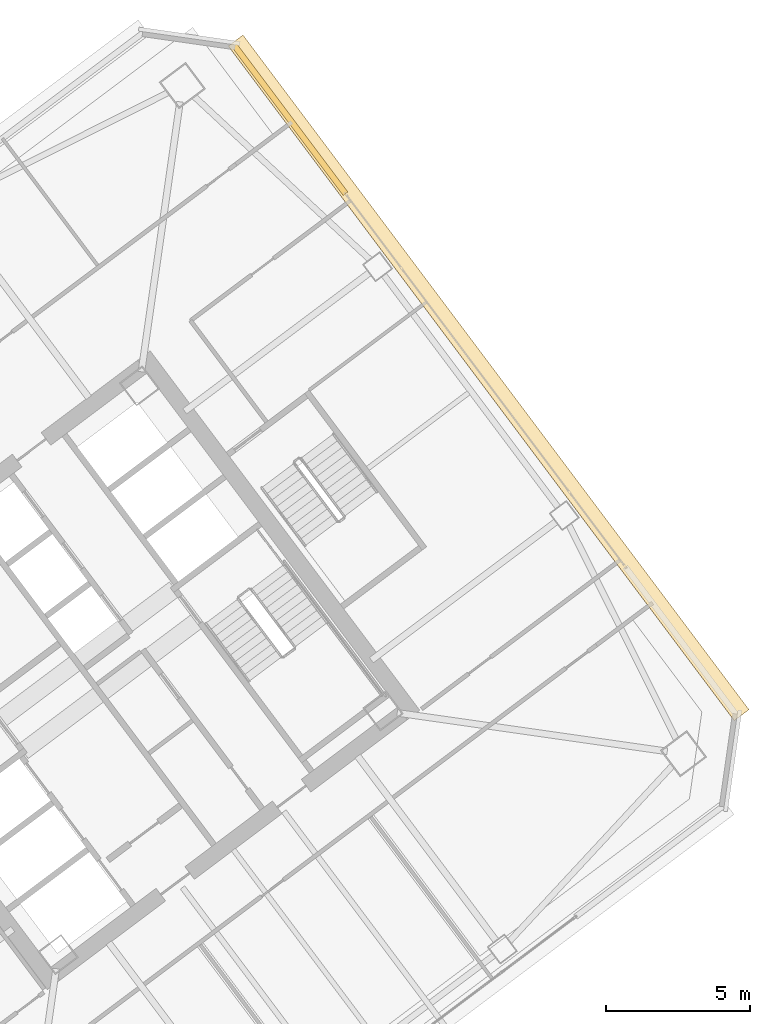
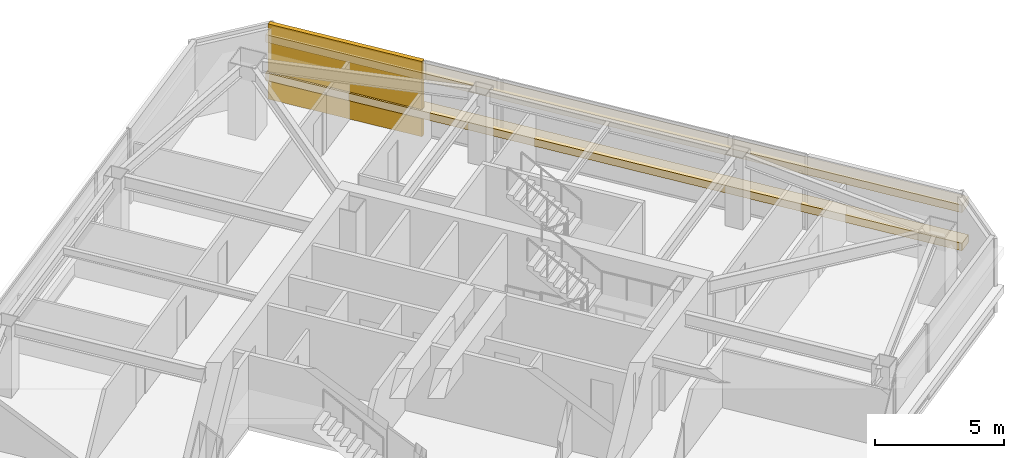
# One storey, part 42 of 42: 3 coverings.
"""IFC4 building model written with IfcOpenShell, lengths in metres."""

from ifc_helpers import new_model, si_unit, direction, frame, origin, origin_2d, place, context, subcontext, project, spatial, rectangle, extrude, material, layer, layer_set, type_object, element, save


model = new_model("IFC4")

# Units and contexts
model_context = context("Model", 3, precision=1e-05, world=origin(), true_north=direction((0.0, 1.0)))
body_context = subcontext(model_context, "Body", "Model", "MODEL_VIEW")
ifc_project = project(units=[si_unit("LENGTHUNIT", "METRE"), si_unit("AREAUNIT", "SQUARE_METRE"), si_unit("VOLUMEUNIT", "CUBIC_METRE"), si_unit("PLANEANGLEUNIT", "RADIAN"), si_unit("MASSUNIT", "GRAM", prefix="KILO")], contexts=[model_context])

# Site, building, storey
site_placement = place(None, origin())
site = spatial("IfcSite", under=ifc_project, at=site_placement, CompositionType="ELEMENT")
building_placement = place(site_placement, origin())
building = spatial("IfcBuilding", under=site, at=building_placement, Name="Tashvorn Skyway Center", CompositionType="ELEMENT")
storey_placement = place(building_placement, frame((0.0, 0.0, 164.10009765625)))
storey = spatial("IfcBuildingStorey", under=building, at=storey_placement, Name="L44", CompositionType="ELEMENT", Elevation=164.10009765625)

# Coverings
ifc_material_1 = material(Name="Precast concrete C40/50", Category="concrete")
ifc_layer_1 = layer(ifc_material_1, 0.199951171875)
ifc_layer_set_1 = layer_set([ifc_layer_1], Name="Precast concrete C40/50")
covering_type_1 = type_object("IfcCoveringType", Name="COV-BRACE-CLAD", PredefinedType="CLADDING", material=ifc_layer_set_1)
covering_placement = place(storey_placement, frame((120.6201171875, 51.139892578125, 0.0), z_axis=(0.0, 0.0, 1.0), x_axis=(0.600000004945, -0.799999996291, 0.0)))
element("IfcCovering", 1, at=covering_placement, inside=storey, type_object=covering_type_1, Name="Tower 2 L44 East Unitised Curtain Wall Mega-Brace Cladding Band 1", PredefinedType="CLADDING", context=body_context, shape_type="SweptSolid", body=[
    extrude(rectangle(XDim=6.47998046875, YDim=0.199951171875, at=origin_2d()), origin(), (0.0, 0.0, 1.0), 3.550048828125),
])
ifc_material_2 = material(Name="Perforated ceramic-coated bronze aluminium solar screen", Category="aluminium")
ifc_layer_2 = layer(ifc_material_2, 0.85009765625)
ifc_layer_set_2 = layer_set([ifc_layer_2], Name="Perforated ceramic-coated bronze aluminium solar screen")
covering_type_2 = type_object("IfcCoveringType", Name="COV-SOLAR-BAND", PredefinedType="CLADDING", material=ifc_layer_set_2)
for number, where, z_axis, x_axis, name in (
    (2, (127.535888671875, 42.152099609375, 0.919921875), (0.0, 0.0, 1.0), (0.600000004945, -0.799999996291, 0.0), "L44 Perforated Ceramic-Metal Solar Screen Louvre Band East 1"),
    (3, (127.535888671875, 42.152099609375, 2.7197265625), (0.0, 0.0, 1.0), (0.600000004945, -0.799999996291, 0.0), "L44 Perforated Ceramic-Metal Solar Screen Louvre Band East 2"),
):
    element("IfcCovering", number, at=place(storey_placement, frame(where, z_axis=z_axis, x_axis=x_axis)), inside=storey, type_object=covering_type_2, Name=name, PredefinedType="CLADDING", context=body_context, shape_type="SweptSolid", body=[
        extrude(rectangle(XDim=29.280029296875, YDim=0.639892578125, at=origin_2d()), origin(), (0.0, 0.0, 1.0), 0.360107421875),
    ])

save(model, "model.ifc")
